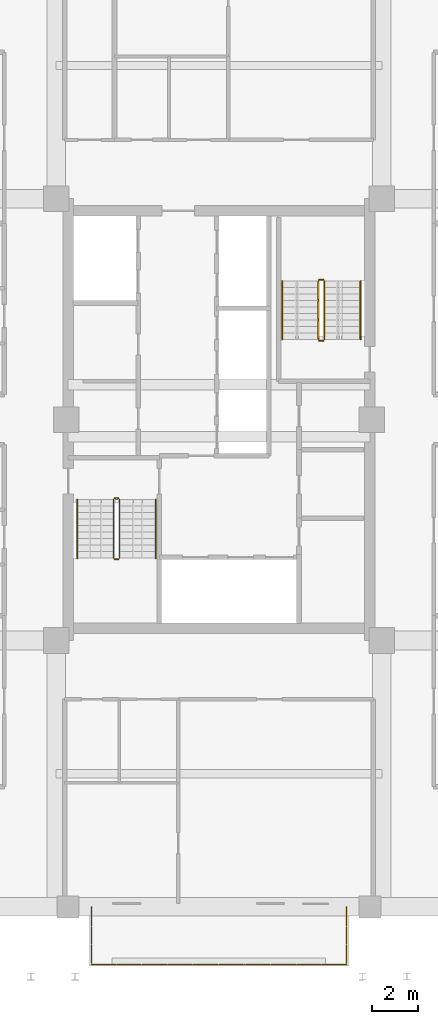
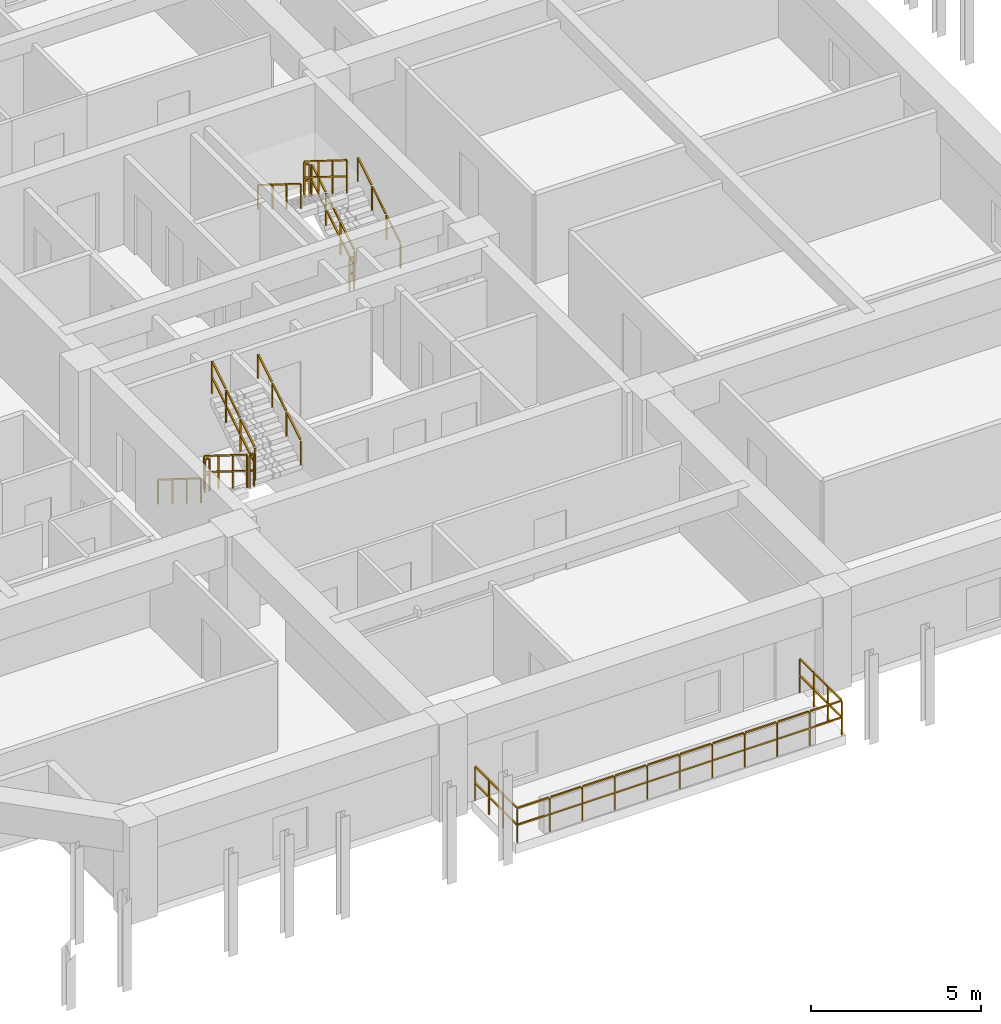
# One storey, part 13 of 13: 15 railings.
"""IFC4 building model written with IfcOpenShell, lengths in metres."""

from ifc_helpers import new_model, si_unit, direction, frame, origin, origin_2d, place, context, subcontext, project, spatial, rectangle, extrude, material, type_object, element, save


model = new_model("IFC4")

# Units and contexts
model_context = context("Model", 3, precision=1e-05, world=origin(), true_north=direction((0.0, 1.0)))
body_context = subcontext(model_context, "Body", "Model", "MODEL_VIEW")
ifc_project = project(units=[si_unit("LENGTHUNIT", "METRE"), si_unit("AREAUNIT", "SQUARE_METRE"), si_unit("VOLUMEUNIT", "CUBIC_METRE"), si_unit("PLANEANGLEUNIT", "RADIAN"), si_unit("MASSUNIT", "GRAM", prefix="KILO")], contexts=[model_context])

# Site, building, storey
site_placement = place(None, origin())
site = spatial("IfcSite", under=ifc_project, at=site_placement, CompositionType="ELEMENT")
building_placement = place(site_placement, origin())
building = spatial("IfcBuilding", under=site, at=building_placement, Name="Saelheon Loggia Tower", CompositionType="ELEMENT")
storey_placement = place(building_placement, frame((0.0, 0.0, 148.699951171875)))
storey = spatial("IfcBuildingStorey", under=building, at=storey_placement, Name="L47", CompositionType="ELEMENT", Elevation=148.699951171875)

# Railings
ifc_material_1 = material(Name="Galvanised Steel S275 Stairwell Guardrail", Category="steel")
railing_type_1 = type_object("IfcRailingType", Name="Guard_StairWell_RL_STG", PredefinedType="GUARDRAIL", material=ifc_material_1)
railing_1_placement = place(storey_placement, frame((33.4599609375, 23.550048828125, 0.175048828125)))
element("IfcRailing", 1, at=railing_1_placement, inside=storey, type_object=railing_type_1, Name="L47 ST1 stair guard 1", PredefinedType="GUARDRAIL", context=body_context, shape_type="SweptSolid", body=[
    extrude(rectangle(XDim=0.048095703125, YDim=0.048095703125, at=origin_2d()), frame((0.0, -0.028076171875, 1.193603515625), z_axis=(0.0, -0.848007534815, 0.529984170421), x_axis=(1.0, 0.0, 0.0)), (0.0, 0.0, 1.0), 0.924072265625),
    extrude(rectangle(XDim=0.048095703125, YDim=0.048095703125, at=origin_2d()), frame((0.0, -0.028076171875, 0.61767578125), z_axis=(0.0, -0.848007534815, 0.529984170421), x_axis=(1.0, 0.0, 0.0)), (0.0, 0.0, 1.0), 0.924072265625),
    extrude(rectangle(XDim=0.048095703125, YDim=0.048095703125, at=origin_2d()), frame((0.0, -0.8681640625, 1.718505859375), z_axis=(0.0, -0.848007534815, 0.529984170421), x_axis=(1.0, 0.0, 0.0)), (0.0, 0.0, 1.0), 0.924072265625),
    extrude(rectangle(XDim=0.048095703125, YDim=0.048095703125, at=origin_2d()), frame((0.0, -0.8681640625, 1.142578125), z_axis=(0.0, -0.848007534815, 0.529984170421), x_axis=(1.0, 0.0, 0.0)), (0.0, 0.0, 1.0), 0.924072265625),
    extrude(rectangle(XDim=0.048095703125, YDim=0.048095703125, at=origin_2d()), frame((0.0, -1.708251953125, 2.243408203125), z_axis=(0.0, -0.848007534815, 0.529984170421), x_axis=(1.0, 0.0, 0.0)), (0.0, 0.0, 1.0), 0.924072265625),
    extrude(rectangle(XDim=0.048095703125, YDim=0.048095703125, at=origin_2d()), frame((0.0, -1.708251953125, 1.66748046875), z_axis=(0.0, -0.848007534815, 0.529984170421), x_axis=(1.0, 0.0, 0.0)), (0.0, 0.0, 1.0), 0.924072265625),
    extrude(rectangle(XDim=0.0419921875, YDim=0.0419921875, at=origin_2d()), origin(), (0.0, 0.0, 1.0), 1.14794921875),
    extrude(rectangle(XDim=0.0419921875, YDim=0.0419921875, at=origin_2d()), frame((0.0, -0.840087890625, 0.52490234375)), (0.0, 0.0, 1.0), 1.14794921875),
    extrude(rectangle(XDim=0.0419921875, YDim=0.0419921875, at=origin_2d()), frame((0.0, -1.679931640625, 1.050048828125)), (0.0, 0.0, 1.0), 1.14794921875),
    extrude(rectangle(XDim=0.0419921875, YDim=0.0419921875, at=origin_2d()), frame((0.0, -2.52001953125, 1.574951171875)), (0.0, 0.0, 1.0), 1.14794921875),
])
railing_2_placement = place(storey_placement, frame((33.510009765625, 20.97998046875, 1.75)))
element("IfcRailing", 2, at=railing_2_placement, inside=storey, type_object=railing_type_1, Name="L47 ST1 stair guard 2", PredefinedType="GUARDRAIL", context=body_context, shape_type="SweptSolid", body=[
    extrude(rectangle(XDim=0.048095703125, YDim=0.048095703125, at=origin_2d()), frame((0.033203125, 0.0, 1.17578125), z_axis=(1.0, 0.0, 0.0), x_axis=(0.0, 1.0, 0.0)), (0.0, 0.0, 1.0), 0.093505859375),
    extrude(rectangle(XDim=0.048095703125, YDim=0.048095703125, at=origin_2d()), frame((0.033203125, 0.0, 0.60009765625), z_axis=(1.0, 0.0, 0.0), x_axis=(0.0, 1.0, 0.0)), (0.0, 0.0, 1.0), 0.093505859375),
    extrude(rectangle(XDim=0.0419921875, YDim=0.0419921875, at=origin_2d()), origin(), (0.0, 0.0, 1.0), 1.14794921875),
    extrude(rectangle(XDim=0.0419921875, YDim=0.0419921875, at=origin_2d()), frame((0.159912109375, 0.0, 0.0)), (0.0, 0.0, 1.0), 1.14794921875),
])
railing_3_placement = place(storey_placement, frame((33.719970703125, 21.030029296875, 1.925048828125)))
element("IfcRailing", 3, at=railing_3_placement, inside=storey, type_object=railing_type_1, Name="L47 ST1 stair guard 3", PredefinedType="GUARDRAIL", context=body_context, shape_type="SweptSolid", body=[
    extrude(rectangle(XDim=0.048095703125, YDim=0.048095703125, at=origin_2d()), frame((0.0, 0.028076171875, 1.193603515625), z_axis=(0.0, 0.848007534815, 0.529984170421), x_axis=(-1.0, 0.0, 0.0)), (0.0, 0.0, 1.0), 0.924072265625),
    extrude(rectangle(XDim=0.048095703125, YDim=0.048095703125, at=origin_2d()), frame((0.0, 0.028076171875, 0.61767578125), z_axis=(0.0, 0.848007534815, 0.529984170421), x_axis=(-1.0, 0.0, 0.0)), (0.0, 0.0, 1.0), 0.924072265625),
    extrude(rectangle(XDim=0.048095703125, YDim=0.048095703125, at=origin_2d()), frame((0.0, 0.8681640625, 1.718505859375), z_axis=(0.0, 0.848007534815, 0.529984170421), x_axis=(-1.0, 0.0, 0.0)), (0.0, 0.0, 1.0), 0.924072265625),
    extrude(rectangle(XDim=0.048095703125, YDim=0.048095703125, at=origin_2d()), frame((0.0, 0.8681640625, 1.142578125), z_axis=(0.0, 0.848007534815, 0.529984170421), x_axis=(-1.0, 0.0, 0.0)), (0.0, 0.0, 1.0), 0.924072265625),
    extrude(rectangle(XDim=0.048095703125, YDim=0.048095703125, at=origin_2d()), frame((0.0, 1.708251953125, 2.243408203125), z_axis=(0.0, 0.848007534815, 0.529984170421), x_axis=(-1.0, 0.0, 0.0)), (0.0, 0.0, 1.0), 0.924072265625),
    extrude(rectangle(XDim=0.048095703125, YDim=0.048095703125, at=origin_2d()), frame((0.0, 1.708251953125, 1.66748046875), z_axis=(0.0, 0.848007534815, 0.529984170421), x_axis=(-1.0, 0.0, 0.0)), (0.0, 0.0, 1.0), 0.924072265625),
    extrude(rectangle(XDim=0.0419921875, YDim=0.0419921875, at=origin_2d()), origin(), (0.0, 0.0, 1.0), 1.14794921875),
    extrude(rectangle(XDim=0.0419921875, YDim=0.0419921875, at=origin_2d()), frame((0.0, 0.840087890625, 0.52490234375)), (0.0, 0.0, 1.0), 1.14794921875),
    extrude(rectangle(XDim=0.0419921875, YDim=0.0419921875, at=origin_2d()), frame((0.0, 1.679931640625, 1.050048828125)), (0.0, 0.0, 1.0), 1.14794921875),
    extrude(rectangle(XDim=0.0419921875, YDim=0.0419921875, at=origin_2d()), frame((0.0, 2.52001953125, 1.574951171875)), (0.0, 0.0, 1.0), 1.14794921875),
])
railing_4_placement = place(storey_placement, frame((33.510009765625, 23.60009765625, 0.0)))
element("IfcRailing", 4, at=railing_4_placement, inside=storey, type_object=railing_type_1, Name="L47 ST1 stair guard 4", PredefinedType="GUARDRAIL", context=body_context, shape_type="SweptSolid", body=[
    extrude(rectangle(XDim=0.048095703125, YDim=0.048095703125, at=origin_2d()), frame((0.033203125, 0.0, 1.17578125), z_axis=(1.0, 0.0, 0.0), x_axis=(0.0, 1.0, 0.0)), (0.0, 0.0, 1.0), 0.093505859375),
    extrude(rectangle(XDim=0.048095703125, YDim=0.048095703125, at=origin_2d()), frame((0.033203125, 0.0, 0.60009765625), z_axis=(1.0, 0.0, 0.0), x_axis=(0.0, 1.0, 0.0)), (0.0, 0.0, 1.0), 0.093505859375),
    extrude(rectangle(XDim=0.0419921875, YDim=0.0419921875, at=origin_2d()), origin(), (0.0, 0.0, 1.0), 1.14794921875),
    extrude(rectangle(XDim=0.0419921875, YDim=0.0419921875, at=origin_2d()), frame((0.159912109375, 0.0, 0.0)), (0.0, 0.0, 1.0), 1.14794921875),
])
railing_5_placement = place(storey_placement, frame((42.5400390625, 30.449951171875, 0.175048828125)))
element("IfcRailing", 5, at=railing_5_placement, inside=storey, type_object=railing_type_1, Name="L47 ST2 stair guard 1", PredefinedType="GUARDRAIL", context=body_context, shape_type="SweptSolid", body=[
    extrude(rectangle(XDim=0.048095703125, YDim=0.048095703125, at=origin_2d()), frame((0.0, 0.028076171875, 1.193603515625), z_axis=(0.0, 0.848007534815, 0.529984170421), x_axis=(-1.0, 0.0, 0.0)), (0.0, 0.0, 1.0), 0.924072265625),
    extrude(rectangle(XDim=0.048095703125, YDim=0.048095703125, at=origin_2d()), frame((0.0, 0.028076171875, 0.61767578125), z_axis=(0.0, 0.848007534815, 0.529984170421), x_axis=(-1.0, 0.0, 0.0)), (0.0, 0.0, 1.0), 0.924072265625),
    extrude(rectangle(XDim=0.048095703125, YDim=0.048095703125, at=origin_2d()), frame((0.0, 0.8681640625, 1.718505859375), z_axis=(0.0, 0.848007534815, 0.529984170421), x_axis=(-1.0, 0.0, 0.0)), (0.0, 0.0, 1.0), 0.924072265625),
    extrude(rectangle(XDim=0.048095703125, YDim=0.048095703125, at=origin_2d()), frame((0.0, 0.8681640625, 1.142578125), z_axis=(0.0, 0.848007534815, 0.529984170421), x_axis=(-1.0, 0.0, 0.0)), (0.0, 0.0, 1.0), 0.924072265625),
    extrude(rectangle(XDim=0.048095703125, YDim=0.048095703125, at=origin_2d()), frame((0.0, 1.708251953125, 2.243408203125), z_axis=(0.0, 0.848007534815, 0.529984170421), x_axis=(-1.0, 0.0, 0.0)), (0.0, 0.0, 1.0), 0.924072265625),
    extrude(rectangle(XDim=0.048095703125, YDim=0.048095703125, at=origin_2d()), frame((0.0, 1.708251953125, 1.66748046875), z_axis=(0.0, 0.848007534815, 0.529984170421), x_axis=(-1.0, 0.0, 0.0)), (0.0, 0.0, 1.0), 0.924072265625),
    extrude(rectangle(XDim=0.0419921875, YDim=0.0419921875, at=origin_2d()), origin(), (0.0, 0.0, 1.0), 1.14794921875),
    extrude(rectangle(XDim=0.0419921875, YDim=0.0419921875, at=origin_2d()), frame((0.0, 0.840087890625, 0.52490234375)), (0.0, 0.0, 1.0), 1.14794921875),
    extrude(rectangle(XDim=0.0419921875, YDim=0.0419921875, at=origin_2d()), frame((0.0, 1.679931640625, 1.050048828125)), (0.0, 0.0, 1.0), 1.14794921875),
    extrude(rectangle(XDim=0.0419921875, YDim=0.0419921875, at=origin_2d()), frame((0.0, 2.52001953125, 1.574951171875)), (0.0, 0.0, 1.0), 1.14794921875),
])
railing_6_placement = place(storey_placement, frame((42.489990234375, 33.02001953125, 1.75)))
element("IfcRailing", 6, at=railing_6_placement, inside=storey, type_object=railing_type_1, Name="L47 ST2 stair guard 2", PredefinedType="GUARDRAIL", context=body_context, shape_type="SweptSolid", body=[
    extrude(rectangle(XDim=0.048095703125, YDim=0.048095703125, at=origin_2d()), frame((-0.033203125, 0.0, 1.17578125), z_axis=(-1.0, 0.0, 0.0), x_axis=(0.0, -1.0, 0.0)), (0.0, 0.0, 1.0), 0.093505859375),
    extrude(rectangle(XDim=0.048095703125, YDim=0.048095703125, at=origin_2d()), frame((-0.033203125, 0.0, 0.60009765625), z_axis=(-1.0, 0.0, 0.0), x_axis=(0.0, -1.0, 0.0)), (0.0, 0.0, 1.0), 0.093505859375),
    extrude(rectangle(XDim=0.0419921875, YDim=0.0419921875, at=origin_2d()), origin(), (0.0, 0.0, 1.0), 1.14794921875),
    extrude(rectangle(XDim=0.0419921875, YDim=0.0419921875, at=origin_2d()), frame((-0.159912109375, 0.0, 0.0)), (0.0, 0.0, 1.0), 1.14794921875),
])
railing_7_placement = place(storey_placement, frame((42.280029296875, 32.969970703125, 1.925048828125)))
element("IfcRailing", 7, at=railing_7_placement, inside=storey, type_object=railing_type_1, Name="L47 ST2 stair guard 3", PredefinedType="GUARDRAIL", context=body_context, shape_type="SweptSolid", body=[
    extrude(rectangle(XDim=0.048095703125, YDim=0.048095703125, at=origin_2d()), frame((0.0, -0.028076171875, 1.193603515625), z_axis=(0.0, -0.848007534815, 0.529984170421), x_axis=(1.0, 0.0, 0.0)), (0.0, 0.0, 1.0), 0.924072265625),
    extrude(rectangle(XDim=0.048095703125, YDim=0.048095703125, at=origin_2d()), frame((0.0, -0.028076171875, 0.61767578125), z_axis=(0.0, -0.848007534815, 0.529984170421), x_axis=(1.0, 0.0, 0.0)), (0.0, 0.0, 1.0), 0.924072265625),
    extrude(rectangle(XDim=0.048095703125, YDim=0.048095703125, at=origin_2d()), frame((0.0, -0.8681640625, 1.718505859375), z_axis=(0.0, -0.848007534815, 0.529984170421), x_axis=(1.0, 0.0, 0.0)), (0.0, 0.0, 1.0), 0.924072265625),
    extrude(rectangle(XDim=0.048095703125, YDim=0.048095703125, at=origin_2d()), frame((0.0, -0.8681640625, 1.142578125), z_axis=(0.0, -0.848007534815, 0.529984170421), x_axis=(1.0, 0.0, 0.0)), (0.0, 0.0, 1.0), 0.924072265625),
    extrude(rectangle(XDim=0.048095703125, YDim=0.048095703125, at=origin_2d()), frame((0.0, -1.708251953125, 2.243408203125), z_axis=(0.0, -0.848007534815, 0.529984170421), x_axis=(1.0, 0.0, 0.0)), (0.0, 0.0, 1.0), 0.924072265625),
    extrude(rectangle(XDim=0.048095703125, YDim=0.048095703125, at=origin_2d()), frame((0.0, -1.708251953125, 1.66748046875), z_axis=(0.0, -0.848007534815, 0.529984170421), x_axis=(1.0, 0.0, 0.0)), (0.0, 0.0, 1.0), 0.924072265625),
    extrude(rectangle(XDim=0.0419921875, YDim=0.0419921875, at=origin_2d()), origin(), (0.0, 0.0, 1.0), 1.14794921875),
    extrude(rectangle(XDim=0.0419921875, YDim=0.0419921875, at=origin_2d()), frame((0.0, -0.840087890625, 0.52490234375)), (0.0, 0.0, 1.0), 1.14794921875),
    extrude(rectangle(XDim=0.0419921875, YDim=0.0419921875, at=origin_2d()), frame((0.0, -1.679931640625, 1.050048828125)), (0.0, 0.0, 1.0), 1.14794921875),
    extrude(rectangle(XDim=0.0419921875, YDim=0.0419921875, at=origin_2d()), frame((0.0, -2.52001953125, 1.574951171875)), (0.0, 0.0, 1.0), 1.14794921875),
])
railing_8_placement = place(storey_placement, frame((42.489990234375, 30.39990234375, 0.0)))
element("IfcRailing", 8, at=railing_8_placement, inside=storey, type_object=railing_type_1, Name="L47 ST2 stair guard 4", PredefinedType="GUARDRAIL", context=body_context, shape_type="SweptSolid", body=[
    extrude(rectangle(XDim=0.048095703125, YDim=0.048095703125, at=origin_2d()), frame((-0.033203125, 0.0, 1.17578125), z_axis=(-1.0, 0.0, 0.0), x_axis=(0.0, -1.0, 0.0)), (0.0, 0.0, 1.0), 0.093505859375),
    extrude(rectangle(XDim=0.048095703125, YDim=0.048095703125, at=origin_2d()), frame((-0.033203125, 0.0, 0.60009765625), z_axis=(-1.0, 0.0, 0.0), x_axis=(0.0, -1.0, 0.0)), (0.0, 0.0, 1.0), 0.093505859375),
    extrude(rectangle(XDim=0.0419921875, YDim=0.0419921875, at=origin_2d()), origin(), (0.0, 0.0, 1.0), 1.14794921875),
    extrude(rectangle(XDim=0.0419921875, YDim=0.0419921875, at=origin_2d()), frame((-0.159912109375, 0.0, 0.0)), (0.0, 0.0, 1.0), 1.14794921875),
])
ifc_material_2 = material(Name="Stainless Steel 316L Post and Laminated Glass Guardrail", Category="steel")
railing_type_2 = type_object("IfcRailingType", Name="Guard_Terrace_1250", PredefinedType="GUARDRAIL", material=ifc_material_2)
railing_9_placement = place(storey_placement, frame((32.5, 3.52001953125, 0.0)))
element("IfcRailing", 9, at=railing_9_placement, inside=storey, type_object=railing_type_2, Name="L47 Sky Pool Cantilever South Glass Guardrail", PredefinedType="GUARDRAIL", context=body_context, shape_type="SweptSolid", body=[
    extrude(rectangle(XDim=0.048095703125, YDim=0.048095703125, at=origin_2d()), frame((0.033203125, 0.0, 1.22607421875), z_axis=(1.0, 0.0, 0.0), x_axis=(0.0, 1.0, 0.0)), (0.0, 0.0, 1.0), 1.033447265625),
    extrude(rectangle(XDim=0.048095703125, YDim=0.048095703125, at=origin_2d()), frame((0.033203125, 0.0, 0.625), z_axis=(1.0, 0.0, 0.0), x_axis=(0.0, 1.0, 0.0)), (0.0, 0.0, 1.0), 1.033447265625),
    extrude(rectangle(XDim=0.048095703125, YDim=0.048095703125, at=origin_2d()), frame((1.13330078125, 0.0, 1.22607421875), z_axis=(1.0, 0.0, 0.0), x_axis=(0.0, 1.0, 0.0)), (0.0, 0.0, 1.0), 1.033447265625),
    extrude(rectangle(XDim=0.048095703125, YDim=0.048095703125, at=origin_2d()), frame((1.13330078125, 0.0, 0.625), z_axis=(1.0, 0.0, 0.0), x_axis=(0.0, 1.0, 0.0)), (0.0, 0.0, 1.0), 1.033447265625),
    extrude(rectangle(XDim=0.048095703125, YDim=0.048095703125, at=origin_2d()), frame((2.233154296875, 0.0, 1.22607421875), z_axis=(1.0, 0.0, 0.0), x_axis=(0.0, 1.0, 0.0)), (0.0, 0.0, 1.0), 1.033447265625),
    extrude(rectangle(XDim=0.048095703125, YDim=0.048095703125, at=origin_2d()), frame((2.233154296875, 0.0, 0.625), z_axis=(1.0, 0.0, 0.0), x_axis=(0.0, 1.0, 0.0)), (0.0, 0.0, 1.0), 1.033447265625),
    extrude(rectangle(XDim=0.048095703125, YDim=0.048095703125, at=origin_2d()), frame((3.333251953125, 0.0, 1.22607421875), z_axis=(1.0, 0.0, 0.0), x_axis=(0.0, 1.0, 0.0)), (0.0, 0.0, 1.0), 1.033447265625),
    extrude(rectangle(XDim=0.048095703125, YDim=0.048095703125, at=origin_2d()), frame((3.333251953125, 0.0, 0.625), z_axis=(1.0, 0.0, 0.0), x_axis=(0.0, 1.0, 0.0)), (0.0, 0.0, 1.0), 1.033447265625),
    extrude(rectangle(XDim=0.048095703125, YDim=0.048095703125, at=origin_2d()), frame((4.433349609375, 0.0, 1.22607421875), z_axis=(1.0, 0.0, 0.0), x_axis=(0.0, 1.0, 0.0)), (0.0, 0.0, 1.0), 1.033447265625),
    extrude(rectangle(XDim=0.048095703125, YDim=0.048095703125, at=origin_2d()), frame((4.433349609375, 0.0, 0.625), z_axis=(1.0, 0.0, 0.0), x_axis=(0.0, 1.0, 0.0)), (0.0, 0.0, 1.0), 1.033447265625),
    extrude(rectangle(XDim=0.048095703125, YDim=0.048095703125, at=origin_2d()), frame((5.533203125, 0.0, 1.22607421875), z_axis=(1.0, 0.0, 0.0), x_axis=(0.0, 1.0, 0.0)), (0.0, 0.0, 1.0), 1.033447265625),
    extrude(rectangle(XDim=0.048095703125, YDim=0.048095703125, at=origin_2d()), frame((5.533203125, 0.0, 0.625), z_axis=(1.0, 0.0, 0.0), x_axis=(0.0, 1.0, 0.0)), (0.0, 0.0, 1.0), 1.033447265625),
    extrude(rectangle(XDim=0.048095703125, YDim=0.048095703125, at=origin_2d()), frame((6.63330078125, 0.0, 1.22607421875), z_axis=(1.0, 0.0, 0.0), x_axis=(0.0, 1.0, 0.0)), (0.0, 0.0, 1.0), 1.033447265625),
    extrude(rectangle(XDim=0.048095703125, YDim=0.048095703125, at=origin_2d()), frame((6.63330078125, 0.0, 0.625), z_axis=(1.0, 0.0, 0.0), x_axis=(0.0, 1.0, 0.0)), (0.0, 0.0, 1.0), 1.033447265625),
    extrude(rectangle(XDim=0.048095703125, YDim=0.048095703125, at=origin_2d()), frame((7.733154296875, 0.0, 1.22607421875), z_axis=(1.0, 0.0, 0.0), x_axis=(0.0, 1.0, 0.0)), (0.0, 0.0, 1.0), 1.033447265625),
    extrude(rectangle(XDim=0.048095703125, YDim=0.048095703125, at=origin_2d()), frame((7.733154296875, 0.0, 0.625), z_axis=(1.0, 0.0, 0.0), x_axis=(0.0, 1.0, 0.0)), (0.0, 0.0, 1.0), 1.033447265625),
    extrude(rectangle(XDim=0.048095703125, YDim=0.048095703125, at=origin_2d()), frame((8.833251953125, 0.0, 1.22607421875), z_axis=(1.0, 0.0, 0.0), x_axis=(0.0, 1.0, 0.0)), (0.0, 0.0, 1.0), 1.033447265625),
    extrude(rectangle(XDim=0.048095703125, YDim=0.048095703125, at=origin_2d()), frame((8.833251953125, 0.0, 0.625), z_axis=(1.0, 0.0, 0.0), x_axis=(0.0, 1.0, 0.0)), (0.0, 0.0, 1.0), 1.033447265625),
    extrude(rectangle(XDim=0.048095703125, YDim=0.048095703125, at=origin_2d()), frame((9.933349609375, 0.0, 1.22607421875), z_axis=(1.0, 0.0, 0.0), x_axis=(0.0, 1.0, 0.0)), (0.0, 0.0, 1.0), 1.033447265625),
    extrude(rectangle(XDim=0.048095703125, YDim=0.048095703125, at=origin_2d()), frame((9.933349609375, 0.0, 0.625), z_axis=(1.0, 0.0, 0.0), x_axis=(0.0, 1.0, 0.0)), (0.0, 0.0, 1.0), 1.033447265625),
    extrude(rectangle(XDim=0.0419921875, YDim=0.0419921875, at=origin_2d()), origin(), (0.0, 0.0, 1.0), 1.197998046875),
    extrude(rectangle(XDim=0.0419921875, YDim=0.0419921875, at=origin_2d()), frame((1.10009765625, 0.0, 0.0)), (0.0, 0.0, 1.0), 1.197998046875),
    extrude(rectangle(XDim=0.0419921875, YDim=0.0419921875, at=origin_2d()), frame((2.199951171875, 0.0, 0.0)), (0.0, 0.0, 1.0), 1.197998046875),
    extrude(rectangle(XDim=0.0419921875, YDim=0.0419921875, at=origin_2d()), frame((3.300048828125, 0.0, 0.0)), (0.0, 0.0, 1.0), 1.197998046875),
    extrude(rectangle(XDim=0.0419921875, YDim=0.0419921875, at=origin_2d()), frame((4.39990234375, 0.0, 0.0)), (0.0, 0.0, 1.0), 1.197998046875),
    extrude(rectangle(XDim=0.0419921875, YDim=0.0419921875, at=origin_2d()), frame((5.5, 0.0, 0.0)), (0.0, 0.0, 1.0), 1.197998046875),
    extrude(rectangle(XDim=0.0419921875, YDim=0.0419921875, at=origin_2d()), frame((6.60009765625, 0.0, 0.0)), (0.0, 0.0, 1.0), 1.197998046875),
    extrude(rectangle(XDim=0.0419921875, YDim=0.0419921875, at=origin_2d()), frame((7.699951171875, 0.0, 0.0)), (0.0, 0.0, 1.0), 1.197998046875),
    extrude(rectangle(XDim=0.0419921875, YDim=0.0419921875, at=origin_2d()), frame((8.800048828125, 0.0, 0.0)), (0.0, 0.0, 1.0), 1.197998046875),
    extrude(rectangle(XDim=0.0419921875, YDim=0.0419921875, at=origin_2d()), frame((9.89990234375, 0.0, 0.0)), (0.0, 0.0, 1.0), 1.197998046875),
    extrude(rectangle(XDim=0.0419921875, YDim=0.0419921875, at=origin_2d()), frame((11.0, 0.0, 0.0)), (0.0, 0.0, 1.0), 1.197998046875),
])
railing_10_placement = place(storey_placement, frame((32.5, 6.0, 0.0)))
element("IfcRailing", 10, at=railing_10_placement, inside=storey, type_object=railing_type_2, Name="L47 Sky Pool Cantilever West Glass Guardrail", PredefinedType="GUARDRAIL", context=body_context, shape_type="SweptSolid", body=[
    extrude(rectangle(XDim=0.048095703125, YDim=0.048095703125, at=origin_2d()), frame((0.0, -0.033203125, 1.22607421875), z_axis=(0.0, -1.0, 0.0), x_axis=(1.0, 0.0, 0.0)), (0.0, 0.0, 1.0), 0.76025390625),
    extrude(rectangle(XDim=0.048095703125, YDim=0.048095703125, at=origin_2d()), frame((0.0, -0.033203125, 0.625), z_axis=(0.0, -1.0, 0.0), x_axis=(1.0, 0.0, 0.0)), (0.0, 0.0, 1.0), 0.76025390625),
    extrude(rectangle(XDim=0.048095703125, YDim=0.048095703125, at=origin_2d()), frame((0.0, -0.85986328125, 1.22607421875), z_axis=(0.0, -1.0, 0.0), x_axis=(1.0, 0.0, 0.0)), (0.0, 0.0, 1.0), 0.76025390625),
    extrude(rectangle(XDim=0.048095703125, YDim=0.048095703125, at=origin_2d()), frame((0.0, -0.85986328125, 0.625), z_axis=(0.0, -1.0, 0.0), x_axis=(1.0, 0.0, 0.0)), (0.0, 0.0, 1.0), 0.76025390625),
    extrude(rectangle(XDim=0.048095703125, YDim=0.048095703125, at=origin_2d()), frame((0.0, -1.6865234375, 1.22607421875), z_axis=(0.0, -1.0, 0.0), x_axis=(1.0, 0.0, 0.0)), (0.0, 0.0, 1.0), 0.76025390625),
    extrude(rectangle(XDim=0.048095703125, YDim=0.048095703125, at=origin_2d()), frame((0.0, -1.6865234375, 0.625), z_axis=(0.0, -1.0, 0.0), x_axis=(1.0, 0.0, 0.0)), (0.0, 0.0, 1.0), 0.76025390625),
    extrude(rectangle(XDim=0.0419921875, YDim=0.0419921875, at=origin_2d()), origin(), (0.0, 0.0, 1.0), 1.197998046875),
    extrude(rectangle(XDim=0.0419921875, YDim=0.0419921875, at=origin_2d()), frame((0.0, -0.82666015625, 0.0)), (0.0, 0.0, 1.0), 1.197998046875),
    extrude(rectangle(XDim=0.0419921875, YDim=0.0419921875, at=origin_2d()), frame((0.0, -1.6533203125, 0.0)), (0.0, 0.0, 1.0), 1.197998046875),
    extrude(rectangle(XDim=0.0419921875, YDim=0.0419921875, at=origin_2d()), frame((0.0, -2.47998046875, 0.0)), (0.0, 0.0, 1.0), 1.197998046875),
])
railing_11_placement = place(storey_placement, frame((43.5, 6.0, 0.0)))
element("IfcRailing", 11, at=railing_11_placement, inside=storey, type_object=railing_type_2, Name="L47 Sky Pool Cantilever East Glass Guardrail", PredefinedType="GUARDRAIL", context=body_context, shape_type="SweptSolid", body=[
    extrude(rectangle(XDim=0.048095703125, YDim=0.048095703125, at=origin_2d()), frame((0.0, -0.033203125, 1.22607421875), z_axis=(0.0, -1.0, 0.0), x_axis=(1.0, 0.0, 0.0)), (0.0, 0.0, 1.0), 0.76025390625),
    extrude(rectangle(XDim=0.048095703125, YDim=0.048095703125, at=origin_2d()), frame((0.0, -0.033203125, 0.625), z_axis=(0.0, -1.0, 0.0), x_axis=(1.0, 0.0, 0.0)), (0.0, 0.0, 1.0), 0.76025390625),
    extrude(rectangle(XDim=0.048095703125, YDim=0.048095703125, at=origin_2d()), frame((0.0, -0.85986328125, 1.22607421875), z_axis=(0.0, -1.0, 0.0), x_axis=(1.0, 0.0, 0.0)), (0.0, 0.0, 1.0), 0.76025390625),
    extrude(rectangle(XDim=0.048095703125, YDim=0.048095703125, at=origin_2d()), frame((0.0, -0.85986328125, 0.625), z_axis=(0.0, -1.0, 0.0), x_axis=(1.0, 0.0, 0.0)), (0.0, 0.0, 1.0), 0.76025390625),
    extrude(rectangle(XDim=0.048095703125, YDim=0.048095703125, at=origin_2d()), frame((0.0, -1.6865234375, 1.22607421875), z_axis=(0.0, -1.0, 0.0), x_axis=(1.0, 0.0, 0.0)), (0.0, 0.0, 1.0), 0.76025390625),
    extrude(rectangle(XDim=0.048095703125, YDim=0.048095703125, at=origin_2d()), frame((0.0, -1.6865234375, 0.625), z_axis=(0.0, -1.0, 0.0), x_axis=(1.0, 0.0, 0.0)), (0.0, 0.0, 1.0), 0.76025390625),
    extrude(rectangle(XDim=0.0419921875, YDim=0.0419921875, at=origin_2d()), origin(), (0.0, 0.0, 1.0), 1.197998046875),
    extrude(rectangle(XDim=0.0419921875, YDim=0.0419921875, at=origin_2d()), frame((0.0, -0.82666015625, 0.0)), (0.0, 0.0, 1.0), 1.197998046875),
    extrude(rectangle(XDim=0.0419921875, YDim=0.0419921875, at=origin_2d()), frame((0.0, -1.6533203125, 0.0)), (0.0, 0.0, 1.0), 1.197998046875),
    extrude(rectangle(XDim=0.0419921875, YDim=0.0419921875, at=origin_2d()), frame((0.0, -2.47998046875, 0.0)), (0.0, 0.0, 1.0), 1.197998046875),
])
ifc_material_3 = material(Name="Stainless Steel 304 Tubular Handrail", Category="steel")
railing_type_3 = type_object("IfcRailingType", Name="Handrail_Stair_RL_HR1", PredefinedType="HANDRAIL", material=ifc_material_3)
railing_12_placement = place(storey_placement, frame((31.89990234375, 23.550048828125, 0.175048828125)))
element("IfcRailing", 12, at=railing_12_placement, inside=storey, type_object=railing_type_3, Name="L47 ST1 stair handrail 1", PredefinedType="HANDRAIL", context=body_context, shape_type="SweptSolid", body=[
    extrude(rectangle(XDim=0.048095703125, YDim=0.048095703125, at=origin_2d()), frame((0.0, -0.028076171875, 0.8935546875), z_axis=(0.0, -0.848007534815, 0.529984170421), x_axis=(1.0, 0.0, 0.0)), (0.0, 0.0, 1.0), 0.924072265625),
    extrude(rectangle(XDim=0.048095703125, YDim=0.048095703125, at=origin_2d()), frame((0.0, -0.8681640625, 1.41845703125), z_axis=(0.0, -0.848007534815, 0.529984170421), x_axis=(1.0, 0.0, 0.0)), (0.0, 0.0, 1.0), 0.924072265625),
    extrude(rectangle(XDim=0.048095703125, YDim=0.048095703125, at=origin_2d()), frame((0.0, -1.708251953125, 1.943359375), z_axis=(0.0, -0.848007534815, 0.529984170421), x_axis=(1.0, 0.0, 0.0)), (0.0, 0.0, 1.0), 0.924072265625),
    extrude(rectangle(XDim=0.0419921875, YDim=0.0419921875, at=origin_2d()), origin(), (0.0, 0.0, 1.0), 0.847900390625),
    extrude(rectangle(XDim=0.0419921875, YDim=0.0419921875, at=origin_2d()), frame((0.0, -0.840087890625, 0.52490234375)), (0.0, 0.0, 1.0), 0.847900390625),
    extrude(rectangle(XDim=0.0419921875, YDim=0.0419921875, at=origin_2d()), frame((0.0, -1.679931640625, 1.050048828125)), (0.0, 0.0, 1.0), 0.847900390625),
    extrude(rectangle(XDim=0.0419921875, YDim=0.0419921875, at=origin_2d()), frame((0.0, -2.52001953125, 1.574951171875)), (0.0, 0.0, 1.0), 0.847900390625),
])
for number, where, name in (
    (13, (35.280029296875, 21.030029296875, 1.925048828125), "L47 ST1 stair handrail 2"),
    (14, (44.10009765625, 30.449951171875, 0.175048828125), "L47 ST2 stair handrail 1"),
):
    element("IfcRailing", number, at=place(storey_placement, frame(where)), inside=storey, type_object=railing_type_3, Name=name, PredefinedType="HANDRAIL", context=body_context, shape_type="SweptSolid", body=[
        extrude(rectangle(XDim=0.048095703125, YDim=0.048095703125, at=origin_2d()), frame((0.0, 0.028076171875, 0.8935546875), z_axis=(0.0, 0.848007534815, 0.529984170421), x_axis=(-1.0, 0.0, 0.0)), (0.0, 0.0, 1.0), 0.924072265625),
        extrude(rectangle(XDim=0.048095703125, YDim=0.048095703125, at=origin_2d()), frame((0.0, 0.8681640625, 1.41845703125), z_axis=(0.0, 0.848007534815, 0.529984170421), x_axis=(-1.0, 0.0, 0.0)), (0.0, 0.0, 1.0), 0.924072265625),
        extrude(rectangle(XDim=0.048095703125, YDim=0.048095703125, at=origin_2d()), frame((0.0, 1.708251953125, 1.943359375), z_axis=(0.0, 0.848007534815, 0.529984170421), x_axis=(-1.0, 0.0, 0.0)), (0.0, 0.0, 1.0), 0.924072265625),
        extrude(rectangle(XDim=0.0419921875, YDim=0.0419921875, at=origin_2d()), origin(), (0.0, 0.0, 1.0), 0.847900390625),
        extrude(rectangle(XDim=0.0419921875, YDim=0.0419921875, at=origin_2d()), frame((0.0, 0.840087890625, 0.52490234375)), (0.0, 0.0, 1.0), 0.847900390625),
        extrude(rectangle(XDim=0.0419921875, YDim=0.0419921875, at=origin_2d()), frame((0.0, 1.679931640625, 1.050048828125)), (0.0, 0.0, 1.0), 0.847900390625),
        extrude(rectangle(XDim=0.0419921875, YDim=0.0419921875, at=origin_2d()), frame((0.0, 2.52001953125, 1.574951171875)), (0.0, 0.0, 1.0), 0.847900390625),
    ])
railing_13_placement = place(storey_placement, frame((40.719970703125, 32.969970703125, 1.925048828125)))
element("IfcRailing", 15, at=railing_13_placement, inside=storey, type_object=railing_type_3, Name="L47 ST2 stair handrail 2", PredefinedType="HANDRAIL", context=body_context, shape_type="SweptSolid", body=[
    extrude(rectangle(XDim=0.048095703125, YDim=0.048095703125, at=origin_2d()), frame((0.0, -0.028076171875, 0.8935546875), z_axis=(0.0, -0.848007534815, 0.529984170421), x_axis=(1.0, 0.0, 0.0)), (0.0, 0.0, 1.0), 0.924072265625),
    extrude(rectangle(XDim=0.048095703125, YDim=0.048095703125, at=origin_2d()), frame((0.0, -0.8681640625, 1.41845703125), z_axis=(0.0, -0.848007534815, 0.529984170421), x_axis=(1.0, 0.0, 0.0)), (0.0, 0.0, 1.0), 0.924072265625),
    extrude(rectangle(XDim=0.048095703125, YDim=0.048095703125, at=origin_2d()), frame((0.0, -1.708251953125, 1.943359375), z_axis=(0.0, -0.848007534815, 0.529984170421), x_axis=(1.0, 0.0, 0.0)), (0.0, 0.0, 1.0), 0.924072265625),
    extrude(rectangle(XDim=0.0419921875, YDim=0.0419921875, at=origin_2d()), origin(), (0.0, 0.0, 1.0), 0.847900390625),
    extrude(rectangle(XDim=0.0419921875, YDim=0.0419921875, at=origin_2d()), frame((0.0, -0.840087890625, 0.52490234375)), (0.0, 0.0, 1.0), 0.847900390625),
    extrude(rectangle(XDim=0.0419921875, YDim=0.0419921875, at=origin_2d()), frame((0.0, -1.679931640625, 1.050048828125)), (0.0, 0.0, 1.0), 0.847900390625),
    extrude(rectangle(XDim=0.0419921875, YDim=0.0419921875, at=origin_2d()), frame((0.0, -2.52001953125, 1.574951171875)), (0.0, 0.0, 1.0), 0.847900390625),
])

save(model, "model.ifc")
